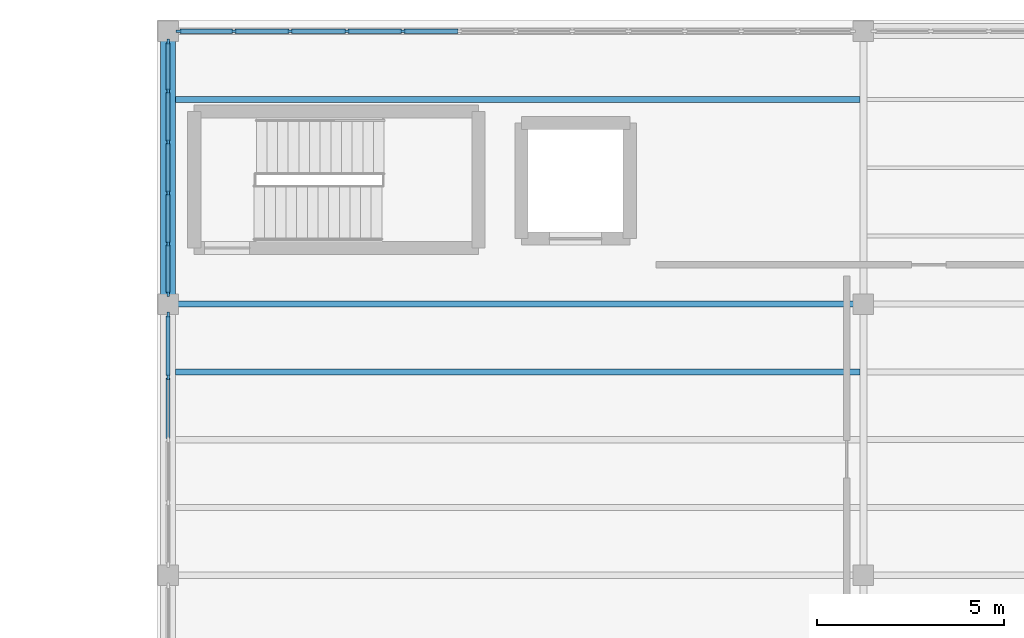
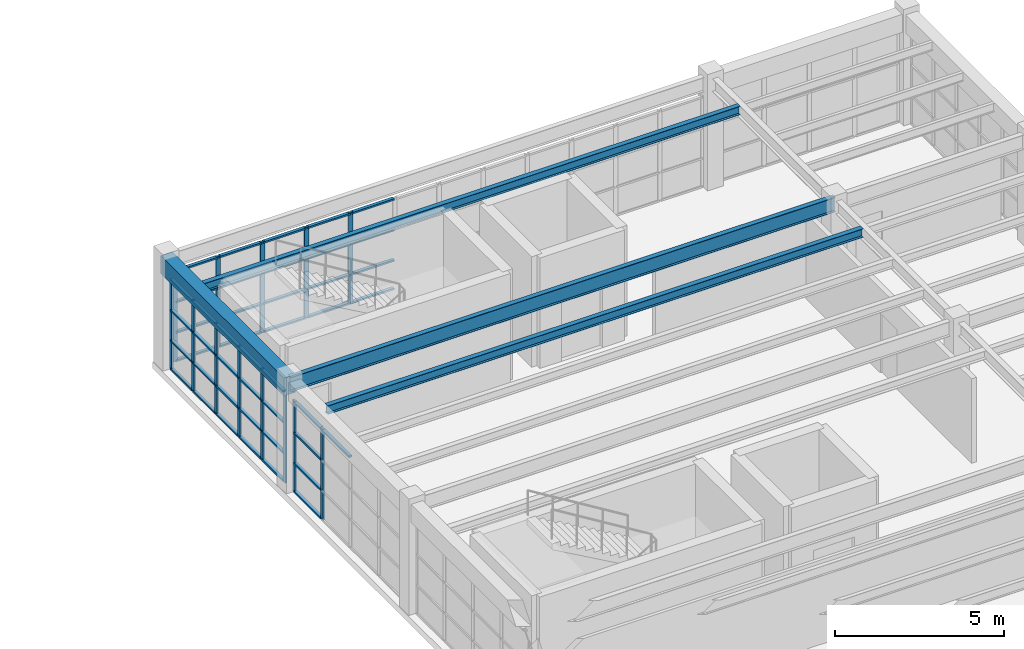
# One storey, part 33 of 66: 58 members, 4 beams, 3 elements without a shape of their own.
"""IFC4 building model written with IfcOpenShell, lengths in metres."""

from ifc_helpers import new_model, si_unit, direction, frame, origin, origin_2d, place, context, subcontext, project, spatial, rectangle, i_section, extrude, material, layer, layer_set, material_profile, profile_set, type_object, element, aggregate, save


model = new_model("IFC4")

# Units and contexts
model_context = context("Model", 3, precision=1e-05, world=origin(), true_north=direction((0.0, 1.0)))
body_context = subcontext(model_context, "Body", "Model", "MODEL_VIEW")
ifc_project = project(units=[si_unit("LENGTHUNIT", "METRE"), si_unit("AREAUNIT", "SQUARE_METRE"), si_unit("VOLUMEUNIT", "CUBIC_METRE"), si_unit("PLANEANGLEUNIT", "RADIAN"), si_unit("MASSUNIT", "GRAM", prefix="KILO")], contexts=[model_context])

# Site, building, storey
site_placement = place(None, origin())
site = spatial("IfcSite", under=ifc_project, at=site_placement, CompositionType="ELEMENT")
building_placement = place(site_placement, origin())
building = spatial("IfcBuilding", under=site, at=building_placement, Name="Candilejo Ridge Gondola Terminal", CompositionType="ELEMENT")
storey_placement = place(building_placement, frame((0.0, 0.0, 14.39990234375)))
storey = spatial("IfcBuildingStorey", under=building, at=storey_placement, Name="L03", CompositionType="ELEMENT", Elevation=14.39990234375)

# Curtain wall, members
ifc_material_1 = material(Name="Anodised aluminium AA 6063-T6", Category="aluminium")
ifc_layer_1 = layer(ifc_material_1, 0.169921875)
ifc_layer_set_1 = layer_set([ifc_layer_1], Name="ARC-CW-TOWER-3000-675X329")
curtain_wall_type_1 = type_object("IfcCurtainWallType", Name="ARC-CW-TOWER-3000-675X329", PredefinedType="NOTDEFINED", material=ifc_layer_set_1)
curtain_wall_1_placement = place(storey_placement, origin())
curtain_wall_1 = element("IfcCurtainWall", 1, at=curtain_wall_1_placement, inside=storey, type_object=curtain_wall_type_1, Name="Curtain wall V5 L03-204", PredefinedType="NOTDEFINED")
ifc_material_2 = material(Name="Anodised aluminium AA 6063-T6", Category="aluminium")
ifc_material_profile_1 = material_profile(ifc_material_2, rectangle(XDim=0.06494140625, YDim=0.14990234375, at=origin_2d()))
ifc_profile_set_1 = profile_set([ifc_material_profile_1], Name="Anodised aluminium AA 6063-T6")
member_type_1 = type_object("IfcMemberType", Name="ARC-CW-MULLION-150", PredefinedType="MULLION", material=ifc_profile_set_1)
member_1_placement = place(storey_placement, frame((150.0, 111.612548828125, 0.0), z_axis=(0.0, 0.0, 1.0), x_axis=(-1.0, 0.0, 0.0)))
member_1 = element("IfcMember", 2, at=member_1_placement, type_object=member_type_1, Name="CW-67X32 mullion 4", PredefinedType="MULLION", context=body_context, shape_type="SweptSolid", body=[
    extrude(rectangle(XDim=0.06494140625, YDim=0.14990234375, at=origin_2d()), origin(), (0.0, 0.0, 1.0), 3.2900390625),
])
member_2_placement = place(storey_placement, frame((150.0, 113.267578125, 0.0), z_axis=(0.0, 0.0, 1.0), x_axis=(-1.0, 0.0, 0.0)))
member_2 = element("IfcMember", 3, at=member_2_placement, type_object=member_type_1, Name="CW-67X32 mullion 5", PredefinedType="MULLION", context=body_context, shape_type="SweptSolid", body=[
    extrude(rectangle(XDim=0.06494140625, YDim=0.14990234375, at=origin_2d()), origin(), (0.0, 0.0, 1.0), 3.2900390625),
])

ifc_material_3 = material(Name="Anodised aluminium AA 6063-T6", Category="aluminium")
ifc_layer_2 = layer(ifc_material_3, 0.169921875)
ifc_layer_set_2 = layer_set([ifc_layer_2], Name="ARC-CW-TOWER-3000-680X329")
curtain_wall_type_2 = type_object("IfcCurtainWallType", Name="ARC-CW-TOWER-3000-680X329", PredefinedType="NOTDEFINED", material=ifc_layer_set_2)
curtain_wall_2_placement = place(storey_placement, origin())
curtain_wall_2 = element("IfcCurtainWall", 4, at=curtain_wall_2_placement, inside=storey, type_object=curtain_wall_type_2, Name="Curtain wall V5 L03-206", PredefinedType="NOTDEFINED")
member_3_placement = place(storey_placement, frame((150.0, 113.83251953125, 0.0), z_axis=(0.0, 0.0, 1.0), x_axis=(-1.0, 0.0, 0.0)))
member_3 = element("IfcMember", 5, at=member_3_placement, type_object=member_type_1, Name="CW-68X32 mullion 1", PredefinedType="MULLION", context=body_context, shape_type="SweptSolid", body=[
    extrude(rectangle(XDim=0.06494140625, YDim=0.14990234375, at=origin_2d()), origin(), (0.0, 0.0, 1.0), 3.2900390625),
])
member_4_placement = place(storey_placement, frame((150.0, 115.159912109375, 0.0), z_axis=(0.0, 0.0, 1.0), x_axis=(-1.0, 0.0, 0.0)))
member_4 = element("IfcMember", 6, at=member_4_placement, type_object=member_type_1, Name="CW-68X32 mullion 2", PredefinedType="MULLION", context=body_context, shape_type="SweptSolid", body=[
    extrude(rectangle(XDim=0.06494140625, YDim=0.14990234375, at=origin_2d()), origin(), (0.0, 0.0, 1.0), 3.2900390625),
])
member_5_placement = place(storey_placement, frame((150.0, 116.52001953125, 0.0), z_axis=(0.0, 0.0, 1.0), x_axis=(-1.0, 0.0, 0.0)))
member_5 = element("IfcMember", 7, at=member_5_placement, type_object=member_type_1, Name="CW-68X32 mullion 3", PredefinedType="MULLION", context=body_context, shape_type="SweptSolid", body=[
    extrude(rectangle(XDim=0.06494140625, YDim=0.14990234375, at=origin_2d()), origin(), (0.0, 0.0, 1.0), 3.2900390625),
])
member_6_placement = place(storey_placement, frame((150.0, 117.8798828125, 0.0), z_axis=(0.0, 0.0, 1.0), x_axis=(-1.0, 0.0, 0.0)))
member_6 = element("IfcMember", 8, at=member_6_placement, type_object=member_type_1, Name="CW-68X32 mullion 4", PredefinedType="MULLION", context=body_context, shape_type="SweptSolid", body=[
    extrude(rectangle(XDim=0.06494140625, YDim=0.14990234375, at=origin_2d()), origin(), (0.0, 0.0, 1.0), 3.2900390625),
])
member_7_placement = place(storey_placement, frame((150.0, 119.239990234375, 0.0), z_axis=(0.0, 0.0, 1.0), x_axis=(-1.0, 0.0, 0.0)))
member_7 = element("IfcMember", 9, at=member_7_placement, type_object=member_type_1, Name="CW-68X32 mullion 5", PredefinedType="MULLION", context=body_context, shape_type="SweptSolid", body=[
    extrude(rectangle(XDim=0.06494140625, YDim=0.14990234375, at=origin_2d()), origin(), (0.0, 0.0, 1.0), 3.2900390625),
])
member_8_placement = place(storey_placement, frame((150.0, 120.5673828125, 0.0), z_axis=(0.0, 0.0, 1.0), x_axis=(-1.0, 0.0, 0.0)))
member_8 = element("IfcMember", 10, at=member_8_placement, type_object=member_type_1, Name="CW-68X32 mullion 6", PredefinedType="MULLION", context=body_context, shape_type="SweptSolid", body=[
    extrude(rectangle(XDim=0.06494140625, YDim=0.14990234375, at=origin_2d()), origin(), (0.0, 0.0, 1.0), 3.2900390625),
])

ifc_material_4 = material(Name="Anodised aluminium AA 6063-T6", Category="aluminium")
ifc_layer_3 = layer(ifc_material_4, 0.169921875)
ifc_layer_set_3 = layer_set([ifc_layer_3], Name="ARC-CW-TOWER-3000-1810X329")
curtain_wall_type_3 = type_object("IfcCurtainWallType", Name="ARC-CW-TOWER-3000-1810X329", PredefinedType="NOTDEFINED", material=ifc_layer_set_3)
curtain_wall_3_placement = place(storey_placement, origin())
curtain_wall_3 = element("IfcCurtainWall", 11, at=curtain_wall_3_placement, inside=storey, type_object=curtain_wall_type_3, Name="Curtain wall V5 L03-209", PredefinedType="NOTDEFINED")
member_9_placement = place(storey_placement, frame((150.282470703125, 120.85009765625, 0.0), z_axis=(0.0, 0.0, 1.0), x_axis=(0.0, 1.0, 0.0)))
member_9 = element("IfcMember", 12, at=member_9_placement, type_object=member_type_1, Name="CW-181X32 mullion 1", PredefinedType="MULLION", context=body_context, shape_type="SweptSolid", body=[
    extrude(rectangle(XDim=0.06494140625, YDim=0.14990234375, at=origin_2d()), origin(), (0.0, 0.0, 1.0), 3.2900390625),
])
member_10_placement = place(storey_placement, frame((151.75830078125, 120.85009765625, 0.0), z_axis=(0.0, 0.0, 1.0), x_axis=(0.0, 1.0, 0.0)))
member_10 = element("IfcMember", 13, at=member_10_placement, type_object=member_type_1, Name="CW-181X32 mullion 2", PredefinedType="MULLION", context=body_context, shape_type="SweptSolid", body=[
    extrude(rectangle(XDim=0.06494140625, YDim=0.14990234375, at=origin_2d()), origin(), (0.0, 0.0, 1.0), 3.2900390625),
])
member_11_placement = place(storey_placement, frame((153.2666015625, 120.85009765625, 0.0), z_axis=(0.0, 0.0, 1.0), x_axis=(0.0, 1.0, 0.0)))
member_11 = element("IfcMember", 14, at=member_11_placement, type_object=member_type_1, Name="CW-181X32 mullion 3", PredefinedType="MULLION", context=body_context, shape_type="SweptSolid", body=[
    extrude(rectangle(XDim=0.06494140625, YDim=0.14990234375, at=origin_2d()), origin(), (0.0, 0.0, 1.0), 3.2900390625),
])
member_12_placement = place(storey_placement, frame((154.77490234375, 120.85009765625, 0.0), z_axis=(0.0, 0.0, 1.0), x_axis=(0.0, 1.0, 0.0)))
member_12 = element("IfcMember", 15, at=member_12_placement, type_object=member_type_1, Name="CW-181X32 mullion 4", PredefinedType="MULLION", context=body_context, shape_type="SweptSolid", body=[
    extrude(rectangle(XDim=0.06494140625, YDim=0.14990234375, at=origin_2d()), origin(), (0.0, 0.0, 1.0), 3.2900390625),
])
member_13_placement = place(storey_placement, frame((156.283447265625, 120.85009765625, 0.0), z_axis=(0.0, 0.0, 1.0), x_axis=(0.0, 1.0, 0.0)))
member_13 = element("IfcMember", 16, at=member_13_placement, type_object=member_type_1, Name="CW-181X32 mullion 5", PredefinedType="MULLION", context=body_context, shape_type="SweptSolid", body=[
    extrude(rectangle(XDim=0.06494140625, YDim=0.14990234375, at=origin_2d()), origin(), (0.0, 0.0, 1.0), 3.2900390625),
])

# Member
ifc_material_5 = material(Name="Anodised aluminium AA 6063-T6", Category="aluminium")
ifc_material_profile_2 = material_profile(ifc_material_5, rectangle(XDim=0.110107421875, YDim=0.06005859375, at=origin_2d()))
ifc_profile_set_2 = profile_set([ifc_material_profile_2], Name="Anodised aluminium AA 6063-T6")
member_type_2 = type_object("IfcMemberType", Name="ARC-CW-TRANSOM-110", PredefinedType="USERDEFINED", material=ifc_profile_set_2)
member_14_placement = place(storey_placement, frame((150.0, 109.95751953125, 3.260009765625), z_axis=(0.0, 1.0, 0.0), x_axis=(-1.0, 0.0, 0.0)))
member_14 = element("IfcMember", 17, at=member_14_placement, type_object=member_type_2, Name="CW-67X32 transom 3.4", ObjectType="TRANSOM", PredefinedType="USERDEFINED", context=body_context, shape_type="SweptSolid", body=[
    extrude(rectangle(XDim=0.110107421875, YDim=0.06005859375, at=origin_2d()), origin(), (0.0, 0.0, 1.0), 1.62255859375),
])

member_15_placement = place(storey_placement, frame((150.0, 111.64501953125, 0.030029296875), z_axis=(0.0, 1.0, 0.0), x_axis=(-1.0, 0.0, 0.0)))
member_15 = element("IfcMember", 18, at=member_15_placement, type_object=member_type_2, Name="CW-67X32 transom 4.1", ObjectType="TRANSOM", PredefinedType="USERDEFINED", context=body_context, shape_type="SweptSolid", body=[
    extrude(rectangle(XDim=0.110107421875, YDim=0.06005859375, at=origin_2d()), origin(), (0.0, 0.0, 1.0), 1.590087890625),
])

member_16_placement = place(storey_placement, frame((150.0, 111.64501953125, 1.050048828125), z_axis=(0.0, 1.0, 0.0), x_axis=(-1.0, 0.0, 0.0)))
member_16 = element("IfcMember", 19, at=member_16_placement, type_object=member_type_2, Name="CW-67X32 transom 4.2", ObjectType="TRANSOM", PredefinedType="USERDEFINED", context=body_context, shape_type="SweptSolid", body=[
    extrude(rectangle(XDim=0.110107421875, YDim=0.06005859375, at=origin_2d()), origin(), (0.0, 0.0, 1.0), 1.590087890625),
])

member_17_placement = place(storey_placement, frame((150.0, 111.64501953125, 2.150146484375), z_axis=(0.0, 1.0, 0.0), x_axis=(-1.0, 0.0, 0.0)))
member_17 = element("IfcMember", 20, at=member_17_placement, type_object=member_type_2, Name="CW-67X32 transom 4.3", ObjectType="TRANSOM", PredefinedType="USERDEFINED", context=body_context, shape_type="SweptSolid", body=[
    extrude(rectangle(XDim=0.110107421875, YDim=0.06005859375, at=origin_2d()), origin(), (0.0, 0.0, 1.0), 1.590087890625),
])

member_18_placement = place(storey_placement, frame((150.0, 111.64501953125, 3.260009765625), z_axis=(0.0, 1.0, 0.0), x_axis=(-1.0, 0.0, 0.0)))
member_18 = element("IfcMember", 21, at=member_18_placement, type_object=member_type_2, Name="CW-67X32 transom 4.4", ObjectType="TRANSOM", PredefinedType="USERDEFINED", context=body_context, shape_type="SweptSolid", body=[
    extrude(rectangle(XDim=0.110107421875, YDim=0.06005859375, at=origin_2d()), origin(), (0.0, 0.0, 1.0), 1.590087890625),
])

aggregate(curtain_wall_1, [member_1, member_2, member_14, member_15, member_16, member_17, member_18])

member_19_placement = place(storey_placement, frame((150.0, 113.864990234375, 0.030029296875), z_axis=(0.0, 1.0, 0.0), x_axis=(-1.0, 0.0, 0.0)))
member_19 = element("IfcMember", 22, at=member_19_placement, type_object=member_type_2, Name="CW-68X32 transom 1.1", ObjectType="TRANSOM", PredefinedType="USERDEFINED", context=body_context, shape_type="SweptSolid", body=[
    extrude(rectangle(XDim=0.110107421875, YDim=0.06005859375, at=origin_2d()), origin(), (0.0, 0.0, 1.0), 1.262451171875),
])

member_20_placement = place(storey_placement, frame((150.0, 113.864990234375, 1.050048828125), z_axis=(0.0, 1.0, 0.0), x_axis=(-1.0, 0.0, 0.0)))
member_20 = element("IfcMember", 23, at=member_20_placement, type_object=member_type_2, Name="CW-68X32 transom 1.2", ObjectType="TRANSOM", PredefinedType="USERDEFINED", context=body_context, shape_type="SweptSolid", body=[
    extrude(rectangle(XDim=0.110107421875, YDim=0.06005859375, at=origin_2d()), origin(), (0.0, 0.0, 1.0), 1.262451171875),
])

member_21_placement = place(storey_placement, frame((150.0, 113.864990234375, 2.150146484375), z_axis=(0.0, 1.0, 0.0), x_axis=(-1.0, 0.0, 0.0)))
member_21 = element("IfcMember", 24, at=member_21_placement, type_object=member_type_2, Name="CW-68X32 transom 1.3", ObjectType="TRANSOM", PredefinedType="USERDEFINED", context=body_context, shape_type="SweptSolid", body=[
    extrude(rectangle(XDim=0.110107421875, YDim=0.06005859375, at=origin_2d()), origin(), (0.0, 0.0, 1.0), 1.262451171875),
])

member_22_placement = place(storey_placement, frame((150.0, 113.864990234375, 3.260009765625), z_axis=(0.0, 1.0, 0.0), x_axis=(-1.0, 0.0, 0.0)))
member_22 = element("IfcMember", 25, at=member_22_placement, type_object=member_type_2, Name="CW-68X32 transom 1.4", ObjectType="TRANSOM", PredefinedType="USERDEFINED", context=body_context, shape_type="SweptSolid", body=[
    extrude(rectangle(XDim=0.110107421875, YDim=0.06005859375, at=origin_2d()), origin(), (0.0, 0.0, 1.0), 1.262451171875),
])

member_23_placement = place(storey_placement, frame((150.0, 115.1923828125, 0.030029296875), z_axis=(0.0, 1.0, 0.0), x_axis=(-1.0, 0.0, 0.0)))
member_23 = element("IfcMember", 26, at=member_23_placement, type_object=member_type_2, Name="CW-68X32 transom 2.1", ObjectType="TRANSOM", PredefinedType="USERDEFINED", context=body_context, shape_type="SweptSolid", body=[
    extrude(rectangle(XDim=0.110107421875, YDim=0.06005859375, at=origin_2d()), origin(), (0.0, 0.0, 1.0), 1.295166015625),
])

member_24_placement = place(storey_placement, frame((150.0, 115.1923828125, 1.050048828125), z_axis=(0.0, 1.0, 0.0), x_axis=(-1.0, 0.0, 0.0)))
member_24 = element("IfcMember", 27, at=member_24_placement, type_object=member_type_2, Name="CW-68X32 transom 2.2", ObjectType="TRANSOM", PredefinedType="USERDEFINED", context=body_context, shape_type="SweptSolid", body=[
    extrude(rectangle(XDim=0.110107421875, YDim=0.06005859375, at=origin_2d()), origin(), (0.0, 0.0, 1.0), 1.295166015625),
])

member_25_placement = place(storey_placement, frame((150.0, 115.1923828125, 2.150146484375), z_axis=(0.0, 1.0, 0.0), x_axis=(-1.0, 0.0, 0.0)))
member_25 = element("IfcMember", 28, at=member_25_placement, type_object=member_type_2, Name="CW-68X32 transom 2.3", ObjectType="TRANSOM", PredefinedType="USERDEFINED", context=body_context, shape_type="SweptSolid", body=[
    extrude(rectangle(XDim=0.110107421875, YDim=0.06005859375, at=origin_2d()), origin(), (0.0, 0.0, 1.0), 1.295166015625),
])

member_26_placement = place(storey_placement, frame((150.0, 115.1923828125, 3.260009765625), z_axis=(0.0, 1.0, 0.0), x_axis=(-1.0, 0.0, 0.0)))
member_26 = element("IfcMember", 29, at=member_26_placement, type_object=member_type_2, Name="CW-68X32 transom 2.4", ObjectType="TRANSOM", PredefinedType="USERDEFINED", context=body_context, shape_type="SweptSolid", body=[
    extrude(rectangle(XDim=0.110107421875, YDim=0.06005859375, at=origin_2d()), origin(), (0.0, 0.0, 1.0), 1.295166015625),
])

member_27_placement = place(storey_placement, frame((150.0, 116.552490234375, 0.030029296875), z_axis=(0.0, 1.0, 0.0), x_axis=(-1.0, 0.0, 0.0)))
member_27 = element("IfcMember", 30, at=member_27_placement, type_object=member_type_2, Name="CW-68X32 transom 3.1", ObjectType="TRANSOM", PredefinedType="USERDEFINED", context=body_context, shape_type="SweptSolid", body=[
    extrude(rectangle(XDim=0.110107421875, YDim=0.06005859375, at=origin_2d()), origin(), (0.0, 0.0, 1.0), 1.294921875),
])

member_28_placement = place(storey_placement, frame((150.0, 116.552490234375, 1.050048828125), z_axis=(0.0, 1.0, 0.0), x_axis=(-1.0, 0.0, 0.0)))
member_28 = element("IfcMember", 31, at=member_28_placement, type_object=member_type_2, Name="CW-68X32 transom 3.2", ObjectType="TRANSOM", PredefinedType="USERDEFINED", context=body_context, shape_type="SweptSolid", body=[
    extrude(rectangle(XDim=0.110107421875, YDim=0.06005859375, at=origin_2d()), origin(), (0.0, 0.0, 1.0), 1.294921875),
])

member_29_placement = place(storey_placement, frame((150.0, 116.552490234375, 2.150146484375), z_axis=(0.0, 1.0, 0.0), x_axis=(-1.0, 0.0, 0.0)))
member_29 = element("IfcMember", 32, at=member_29_placement, type_object=member_type_2, Name="CW-68X32 transom 3.3", ObjectType="TRANSOM", PredefinedType="USERDEFINED", context=body_context, shape_type="SweptSolid", body=[
    extrude(rectangle(XDim=0.110107421875, YDim=0.06005859375, at=origin_2d()), origin(), (0.0, 0.0, 1.0), 1.294921875),
])

member_30_placement = place(storey_placement, frame((150.0, 116.552490234375, 3.260009765625), z_axis=(0.0, 1.0, 0.0), x_axis=(-1.0, 0.0, 0.0)))
member_30 = element("IfcMember", 33, at=member_30_placement, type_object=member_type_2, Name="CW-68X32 transom 3.4", ObjectType="TRANSOM", PredefinedType="USERDEFINED", context=body_context, shape_type="SweptSolid", body=[
    extrude(rectangle(XDim=0.110107421875, YDim=0.06005859375, at=origin_2d()), origin(), (0.0, 0.0, 1.0), 1.294921875),
])

member_31_placement = place(storey_placement, frame((150.0, 117.91259765625, 0.030029296875), z_axis=(0.0, 1.0, 0.0), x_axis=(-1.0, 0.0, 0.0)))
member_31 = element("IfcMember", 34, at=member_31_placement, type_object=member_type_2, Name="CW-68X32 transom 4.1", ObjectType="TRANSOM", PredefinedType="USERDEFINED", context=body_context, shape_type="SweptSolid", body=[
    extrude(rectangle(XDim=0.110107421875, YDim=0.06005859375, at=origin_2d()), origin(), (0.0, 0.0, 1.0), 1.294921875),
])

member_32_placement = place(storey_placement, frame((150.0, 117.91259765625, 1.050048828125), z_axis=(0.0, 1.0, 0.0), x_axis=(-1.0, 0.0, 0.0)))
member_32 = element("IfcMember", 35, at=member_32_placement, type_object=member_type_2, Name="CW-68X32 transom 4.2", ObjectType="TRANSOM", PredefinedType="USERDEFINED", context=body_context, shape_type="SweptSolid", body=[
    extrude(rectangle(XDim=0.110107421875, YDim=0.06005859375, at=origin_2d()), origin(), (0.0, 0.0, 1.0), 1.294921875),
])

member_33_placement = place(storey_placement, frame((150.0, 117.91259765625, 2.150146484375), z_axis=(0.0, 1.0, 0.0), x_axis=(-1.0, 0.0, 0.0)))
member_33 = element("IfcMember", 36, at=member_33_placement, type_object=member_type_2, Name="CW-68X32 transom 4.3", ObjectType="TRANSOM", PredefinedType="USERDEFINED", context=body_context, shape_type="SweptSolid", body=[
    extrude(rectangle(XDim=0.110107421875, YDim=0.06005859375, at=origin_2d()), origin(), (0.0, 0.0, 1.0), 1.294921875),
])

member_34_placement = place(storey_placement, frame((150.0, 117.91259765625, 3.260009765625), z_axis=(0.0, 1.0, 0.0), x_axis=(-1.0, 0.0, 0.0)))
member_34 = element("IfcMember", 37, at=member_34_placement, type_object=member_type_2, Name="CW-68X32 transom 4.4", ObjectType="TRANSOM", PredefinedType="USERDEFINED", context=body_context, shape_type="SweptSolid", body=[
    extrude(rectangle(XDim=0.110107421875, YDim=0.06005859375, at=origin_2d()), origin(), (0.0, 0.0, 1.0), 1.294921875),
])

member_35_placement = place(storey_placement, frame((150.0, 119.2724609375, 0.030029296875), z_axis=(0.0, 1.0, 0.0), x_axis=(-1.0, 0.0, 0.0)))
member_35 = element("IfcMember", 38, at=member_35_placement, type_object=member_type_2, Name="CW-68X32 transom 5.1", ObjectType="TRANSOM", PredefinedType="USERDEFINED", context=body_context, shape_type="SweptSolid", body=[
    extrude(rectangle(XDim=0.110107421875, YDim=0.06005859375, at=origin_2d()), origin(), (0.0, 0.0, 1.0), 1.262451171875),
])

member_36_placement = place(storey_placement, frame((150.0, 119.2724609375, 1.050048828125), z_axis=(0.0, 1.0, 0.0), x_axis=(-1.0, 0.0, 0.0)))
member_36 = element("IfcMember", 39, at=member_36_placement, type_object=member_type_2, Name="CW-68X32 transom 5.2", ObjectType="TRANSOM", PredefinedType="USERDEFINED", context=body_context, shape_type="SweptSolid", body=[
    extrude(rectangle(XDim=0.110107421875, YDim=0.06005859375, at=origin_2d()), origin(), (0.0, 0.0, 1.0), 1.262451171875),
])

member_37_placement = place(storey_placement, frame((150.0, 119.2724609375, 2.150146484375), z_axis=(0.0, 1.0, 0.0), x_axis=(-1.0, 0.0, 0.0)))
member_37 = element("IfcMember", 40, at=member_37_placement, type_object=member_type_2, Name="CW-68X32 transom 5.3", ObjectType="TRANSOM", PredefinedType="USERDEFINED", context=body_context, shape_type="SweptSolid", body=[
    extrude(rectangle(XDim=0.110107421875, YDim=0.06005859375, at=origin_2d()), origin(), (0.0, 0.0, 1.0), 1.262451171875),
])

member_38_placement = place(storey_placement, frame((150.0, 119.2724609375, 3.260009765625), z_axis=(0.0, 1.0, 0.0), x_axis=(-1.0, 0.0, 0.0)))
member_38 = element("IfcMember", 41, at=member_38_placement, type_object=member_type_2, Name="CW-68X32 transom 5.4", ObjectType="TRANSOM", PredefinedType="USERDEFINED", context=body_context, shape_type="SweptSolid", body=[
    extrude(rectangle(XDim=0.110107421875, YDim=0.06005859375, at=origin_2d()), origin(), (0.0, 0.0, 1.0), 1.262451171875),
])

aggregate(curtain_wall_2, [member_3, member_4, member_5, member_6, member_7, member_8, member_19, member_20, member_21, member_22, member_23, member_24, member_25, member_26, member_27, member_28, member_29, member_30, member_31, member_32, member_33, member_34, member_35, member_36, member_37, member_38])

member_39_placement = place(storey_placement, frame((150.31494140625, 120.85009765625, 0.030029296875), z_axis=(1.0, 0.0, 0.0), x_axis=(0.0, 1.0, 0.0)))
member_39 = element("IfcMember", 42, at=member_39_placement, type_object=member_type_2, Name="CW-181X32 transom 1.1", ObjectType="TRANSOM", PredefinedType="USERDEFINED", context=body_context, shape_type="SweptSolid", body=[
    extrude(rectangle(XDim=0.110107421875, YDim=0.06005859375, at=origin_2d()), origin(), (0.0, 0.0, 1.0), 1.410888671875),
])

member_40_placement = place(storey_placement, frame((150.31494140625, 120.85009765625, 1.050048828125), z_axis=(1.0, 0.0, 0.0), x_axis=(0.0, 1.0, 0.0)))
member_40 = element("IfcMember", 43, at=member_40_placement, type_object=member_type_2, Name="CW-181X32 transom 1.2", ObjectType="TRANSOM", PredefinedType="USERDEFINED", context=body_context, shape_type="SweptSolid", body=[
    extrude(rectangle(XDim=0.110107421875, YDim=0.06005859375, at=origin_2d()), origin(), (0.0, 0.0, 1.0), 1.410888671875),
])

member_41_placement = place(storey_placement, frame((150.31494140625, 120.85009765625, 2.150146484375), z_axis=(1.0, 0.0, 0.0), x_axis=(0.0, 1.0, 0.0)))
member_41 = element("IfcMember", 44, at=member_41_placement, type_object=member_type_2, Name="CW-181X32 transom 1.3", ObjectType="TRANSOM", PredefinedType="USERDEFINED", context=body_context, shape_type="SweptSolid", body=[
    extrude(rectangle(XDim=0.110107421875, YDim=0.06005859375, at=origin_2d()), origin(), (0.0, 0.0, 1.0), 1.410888671875),
])

member_42_placement = place(storey_placement, frame((150.31494140625, 120.85009765625, 3.260009765625), z_axis=(1.0, 0.0, 0.0), x_axis=(0.0, 1.0, 0.0)))
member_42 = element("IfcMember", 45, at=member_42_placement, type_object=member_type_2, Name="CW-181X32 transom 1.4", ObjectType="TRANSOM", PredefinedType="USERDEFINED", context=body_context, shape_type="SweptSolid", body=[
    extrude(rectangle(XDim=0.110107421875, YDim=0.06005859375, at=origin_2d()), origin(), (0.0, 0.0, 1.0), 1.410888671875),
])

member_43_placement = place(storey_placement, frame((151.790771484375, 120.85009765625, 0.030029296875), z_axis=(1.0, 0.0, 0.0), x_axis=(0.0, 1.0, 0.0)))
member_43 = element("IfcMember", 46, at=member_43_placement, type_object=member_type_2, Name="CW-181X32 transom 2.1", ObjectType="TRANSOM", PredefinedType="USERDEFINED", context=body_context, shape_type="SweptSolid", body=[
    extrude(rectangle(XDim=0.110107421875, YDim=0.06005859375, at=origin_2d()), origin(), (0.0, 0.0, 1.0), 1.443359375),
])

member_44_placement = place(storey_placement, frame((151.790771484375, 120.85009765625, 1.050048828125), z_axis=(1.0, 0.0, 0.0), x_axis=(0.0, 1.0, 0.0)))
member_44 = element("IfcMember", 47, at=member_44_placement, type_object=member_type_2, Name="CW-181X32 transom 2.2", ObjectType="TRANSOM", PredefinedType="USERDEFINED", context=body_context, shape_type="SweptSolid", body=[
    extrude(rectangle(XDim=0.110107421875, YDim=0.06005859375, at=origin_2d()), origin(), (0.0, 0.0, 1.0), 1.443359375),
])

member_45_placement = place(storey_placement, frame((151.790771484375, 120.85009765625, 2.150146484375), z_axis=(1.0, 0.0, 0.0), x_axis=(0.0, 1.0, 0.0)))
member_45 = element("IfcMember", 48, at=member_45_placement, type_object=member_type_2, Name="CW-181X32 transom 2.3", ObjectType="TRANSOM", PredefinedType="USERDEFINED", context=body_context, shape_type="SweptSolid", body=[
    extrude(rectangle(XDim=0.110107421875, YDim=0.06005859375, at=origin_2d()), origin(), (0.0, 0.0, 1.0), 1.443359375),
])

member_46_placement = place(storey_placement, frame((151.790771484375, 120.85009765625, 3.260009765625), z_axis=(1.0, 0.0, 0.0), x_axis=(0.0, 1.0, 0.0)))
member_46 = element("IfcMember", 49, at=member_46_placement, type_object=member_type_2, Name="CW-181X32 transom 2.4", ObjectType="TRANSOM", PredefinedType="USERDEFINED", context=body_context, shape_type="SweptSolid", body=[
    extrude(rectangle(XDim=0.110107421875, YDim=0.06005859375, at=origin_2d()), origin(), (0.0, 0.0, 1.0), 1.443359375),
])

member_47_placement = place(storey_placement, frame((153.299072265625, 120.85009765625, 0.030029296875), z_axis=(1.0, 0.0, 0.0), x_axis=(0.0, 1.0, 0.0)))
member_47 = element("IfcMember", 50, at=member_47_placement, type_object=member_type_2, Name="CW-181X32 transom 3.1", ObjectType="TRANSOM", PredefinedType="USERDEFINED", context=body_context, shape_type="SweptSolid", body=[
    extrude(rectangle(XDim=0.110107421875, YDim=0.06005859375, at=origin_2d()), origin(), (0.0, 0.0, 1.0), 1.443359375),
])

member_48_placement = place(storey_placement, frame((153.299072265625, 120.85009765625, 1.050048828125), z_axis=(1.0, 0.0, 0.0), x_axis=(0.0, 1.0, 0.0)))
member_48 = element("IfcMember", 51, at=member_48_placement, type_object=member_type_2, Name="CW-181X32 transom 3.2", ObjectType="TRANSOM", PredefinedType="USERDEFINED", context=body_context, shape_type="SweptSolid", body=[
    extrude(rectangle(XDim=0.110107421875, YDim=0.06005859375, at=origin_2d()), origin(), (0.0, 0.0, 1.0), 1.443359375),
])

member_49_placement = place(storey_placement, frame((153.299072265625, 120.85009765625, 2.150146484375), z_axis=(1.0, 0.0, 0.0), x_axis=(0.0, 1.0, 0.0)))
member_49 = element("IfcMember", 52, at=member_49_placement, type_object=member_type_2, Name="CW-181X32 transom 3.3", ObjectType="TRANSOM", PredefinedType="USERDEFINED", context=body_context, shape_type="SweptSolid", body=[
    extrude(rectangle(XDim=0.110107421875, YDim=0.06005859375, at=origin_2d()), origin(), (0.0, 0.0, 1.0), 1.443359375),
])

member_50_placement = place(storey_placement, frame((153.299072265625, 120.85009765625, 3.260009765625), z_axis=(1.0, 0.0, 0.0), x_axis=(0.0, 1.0, 0.0)))
member_50 = element("IfcMember", 53, at=member_50_placement, type_object=member_type_2, Name="CW-181X32 transom 3.4", ObjectType="TRANSOM", PredefinedType="USERDEFINED", context=body_context, shape_type="SweptSolid", body=[
    extrude(rectangle(XDim=0.110107421875, YDim=0.06005859375, at=origin_2d()), origin(), (0.0, 0.0, 1.0), 1.443359375),
])

member_51_placement = place(storey_placement, frame((154.8076171875, 120.85009765625, 0.030029296875), z_axis=(1.0, 0.0, 0.0), x_axis=(0.0, 1.0, 0.0)))
member_51 = element("IfcMember", 54, at=member_51_placement, type_object=member_type_2, Name="CW-181X32 transom 4.1", ObjectType="TRANSOM", PredefinedType="USERDEFINED", context=body_context, shape_type="SweptSolid", body=[
    extrude(rectangle(XDim=0.110107421875, YDim=0.06005859375, at=origin_2d()), origin(), (0.0, 0.0, 1.0), 1.443115234375),
])

member_52_placement = place(storey_placement, frame((154.8076171875, 120.85009765625, 1.050048828125), z_axis=(1.0, 0.0, 0.0), x_axis=(0.0, 1.0, 0.0)))
member_52 = element("IfcMember", 55, at=member_52_placement, type_object=member_type_2, Name="CW-181X32 transom 4.2", ObjectType="TRANSOM", PredefinedType="USERDEFINED", context=body_context, shape_type="SweptSolid", body=[
    extrude(rectangle(XDim=0.110107421875, YDim=0.06005859375, at=origin_2d()), origin(), (0.0, 0.0, 1.0), 1.443115234375),
])

member_53_placement = place(storey_placement, frame((154.8076171875, 120.85009765625, 2.150146484375), z_axis=(1.0, 0.0, 0.0), x_axis=(0.0, 1.0, 0.0)))
member_53 = element("IfcMember", 56, at=member_53_placement, type_object=member_type_2, Name="CW-181X32 transom 4.3", ObjectType="TRANSOM", PredefinedType="USERDEFINED", context=body_context, shape_type="SweptSolid", body=[
    extrude(rectangle(XDim=0.110107421875, YDim=0.06005859375, at=origin_2d()), origin(), (0.0, 0.0, 1.0), 1.443115234375),
])

member_54_placement = place(storey_placement, frame((154.8076171875, 120.85009765625, 3.260009765625), z_axis=(1.0, 0.0, 0.0), x_axis=(0.0, 1.0, 0.0)))
member_54 = element("IfcMember", 57, at=member_54_placement, type_object=member_type_2, Name="CW-181X32 transom 4.4", ObjectType="TRANSOM", PredefinedType="USERDEFINED", context=body_context, shape_type="SweptSolid", body=[
    extrude(rectangle(XDim=0.110107421875, YDim=0.06005859375, at=origin_2d()), origin(), (0.0, 0.0, 1.0), 1.443115234375),
])

member_55_placement = place(storey_placement, frame((156.31591796875, 120.85009765625, 0.030029296875), z_axis=(1.0, 0.0, 0.0), x_axis=(0.0, 1.0, 0.0)))
member_55 = element("IfcMember", 58, at=member_55_placement, type_object=member_type_2, Name="CW-181X32 transom 5.1", ObjectType="TRANSOM", PredefinedType="USERDEFINED", context=body_context, shape_type="SweptSolid", body=[
    extrude(rectangle(XDim=0.110107421875, YDim=0.06005859375, at=origin_2d()), origin(), (0.0, 0.0, 1.0), 1.443359375),
])

member_56_placement = place(storey_placement, frame((156.31591796875, 120.85009765625, 1.050048828125), z_axis=(1.0, 0.0, 0.0), x_axis=(0.0, 1.0, 0.0)))
member_56 = element("IfcMember", 59, at=member_56_placement, type_object=member_type_2, Name="CW-181X32 transom 5.2", ObjectType="TRANSOM", PredefinedType="USERDEFINED", context=body_context, shape_type="SweptSolid", body=[
    extrude(rectangle(XDim=0.110107421875, YDim=0.06005859375, at=origin_2d()), origin(), (0.0, 0.0, 1.0), 1.443359375),
])

member_57_placement = place(storey_placement, frame((156.31591796875, 120.85009765625, 2.150146484375), z_axis=(1.0, 0.0, 0.0), x_axis=(0.0, 1.0, 0.0)))
member_57 = element("IfcMember", 60, at=member_57_placement, type_object=member_type_2, Name="CW-181X32 transom 5.3", ObjectType="TRANSOM", PredefinedType="USERDEFINED", context=body_context, shape_type="SweptSolid", body=[
    extrude(rectangle(XDim=0.110107421875, YDim=0.06005859375, at=origin_2d()), origin(), (0.0, 0.0, 1.0), 1.443359375),
])

member_58_placement = place(storey_placement, frame((156.31591796875, 120.85009765625, 3.260009765625), z_axis=(1.0, 0.0, 0.0), x_axis=(0.0, 1.0, 0.0)))
member_58 = element("IfcMember", 61, at=member_58_placement, type_object=member_type_2, Name="CW-181X32 transom 5.4", ObjectType="TRANSOM", PredefinedType="USERDEFINED", context=body_context, shape_type="SweptSolid", body=[
    extrude(rectangle(XDim=0.110107421875, YDim=0.06005859375, at=origin_2d()), origin(), (0.0, 0.0, 1.0), 1.443359375),
])

aggregate(curtain_wall_3, [member_9, member_10, member_11, member_12, member_13, member_39, member_40, member_41, member_42, member_43, member_44, member_45, member_46, member_47, member_48, member_49, member_50, member_51, member_52, member_53, member_54, member_55, member_56, member_57, member_58])

# Beams
ifc_material_6 = material(Name="Steel ASTM A992 Grade 50", Category="steel")
ifc_material_profile_3 = material_profile(ifc_material_6, i_section(OverallWidth=0.166015625, OverallDepth=0.529052734375, WebThickness=0.009765625, FlangeThickness=0.013671875, at=origin_2d()))
ifc_profile_set_3 = profile_set([ifc_material_profile_3], Name="Steel ASTM A992 Grade 50")
beam_type_1 = type_object("IfcBeamType", Name="STR-BM-W530X74", PredefinedType="BEAM", material=ifc_profile_set_3)
beam_1_placement = place(storey_placement, frame((150.0, 113.550048828125, 3.7255859375), z_axis=(1.0, 0.0, 0.0), x_axis=(0.0, 1.0, 0.0)))
element("IfcBeam", 62, at=beam_1_placement, inside=storey, type_object=beam_type_1, Name="Beam X V5 L03 X23-X25@Y19", PredefinedType="BEAM", context=body_context, shape_type="SweptSolid", body=[
    extrude(i_section(OverallWidth=0.166015625, OverallDepth=0.529052734375, WebThickness=0.009765625, FlangeThickness=0.013671875, at=origin_2d()), origin(), (0.0, 0.0, 1.0), 18.60009765625),
])
ifc_material_7 = material(Name="Steel ASTM A992 Grade 50", Category="steel")
ifc_material_profile_4 = material_profile(ifc_material_7, i_section(OverallWidth=0.1650390625, OverallDepth=0.31005859375, WebThickness=0.005859375, FlangeThickness=0.009765625, at=origin_2d()))
ifc_profile_set_4 = profile_set([ifc_material_profile_4], Name="Steel ASTM A992 Grade 50")
beam_type_2 = type_object("IfcBeamType", Name="STR-JST-W310X39", PredefinedType="JOIST", material=ifc_profile_set_4)
beam_2_placement = place(storey_placement, frame((150.199951171875, 119.02490234375, 3.835205078125), z_axis=(1.0, 0.0, 0.0), x_axis=(0.0, 1.0, 0.0)))
element("IfcBeam", 63, at=beam_2_placement, inside=storey, type_object=beam_type_2, Name="Composite joist V5 L03-1391", PredefinedType="JOIST", context=body_context, shape_type="SweptSolid", body=[
    extrude(i_section(OverallWidth=0.1650390625, OverallDepth=0.31005859375, WebThickness=0.005859375, FlangeThickness=0.009765625, at=origin_2d()), origin(), (0.0, 0.0, 1.0), 18.302978515625),
])
ifc_material_8 = material(Name="Steel ASTM A992 Grade 50", Category="steel")
ifc_material_profile_5 = material_profile(ifc_material_8, i_section(OverallWidth=0.166015625, OverallDepth=0.31298828125, WebThickness=0.006591796875, FlangeThickness=0.01123046875, at=origin_2d()))
ifc_profile_set_5 = profile_set([ifc_material_profile_5], Name="Steel ASTM A992 Grade 50")
beam_type_3 = type_object("IfcBeamType", Name="STR-JST-W310X44", PredefinedType="JOIST", material=ifc_profile_set_5)
beam_3_placement = place(storey_placement, frame((150.199951171875, 111.737548828125, 3.83349609375), z_axis=(1.0, 0.0, 0.0), x_axis=(0.0, 1.0, 0.0)))
element("IfcBeam", 64, at=beam_3_placement, inside=storey, type_object=beam_type_3, Name="Composite joist V5 L03-1390", PredefinedType="JOIST", context=body_context, shape_type="SweptSolid", body=[
    extrude(i_section(OverallWidth=0.166015625, OverallDepth=0.31298828125, WebThickness=0.006591796875, FlangeThickness=0.01123046875, at=origin_2d()), origin(), (0.0, 0.0, 1.0), 18.302978515625),
])
ifc_material_9 = material(Name="Concrete f'c 35 MPa (C35/45)", Category="concrete")
ifc_material_profile_6 = material_profile(ifc_material_9, rectangle(XDim=0.39990234375, YDim=0.64990234375, at=origin_2d()))
ifc_profile_set_6 = profile_set([ifc_material_profile_6], Name="Concrete f'c 35 MPa (C35/45)")
beam_type_4 = type_object("IfcBeamType", Name="STR-SPN-RC400X650", PredefinedType="SPANDREL", material=ifc_profile_set_6)
beam_4_placement = place(storey_placement, frame((150.0, 113.550048828125, 3.6650390625), z_axis=(0.0, 1.0, 0.0), x_axis=(-1.0, 0.0, 0.0)))
element("IfcBeam", 65, at=beam_4_placement, inside=storey, type_object=beam_type_4, Name="Beam Y V5 L03 Y19-Y20@X23", PredefinedType="SPANDREL", context=body_context, shape_type="SweptSolid", body=[
    extrude(rectangle(XDim=0.39990234375, YDim=0.64990234375, at=origin_2d()), origin(), (0.0, 0.0, 1.0), 7.300048828125),
])

save(model, "model.ifc")
